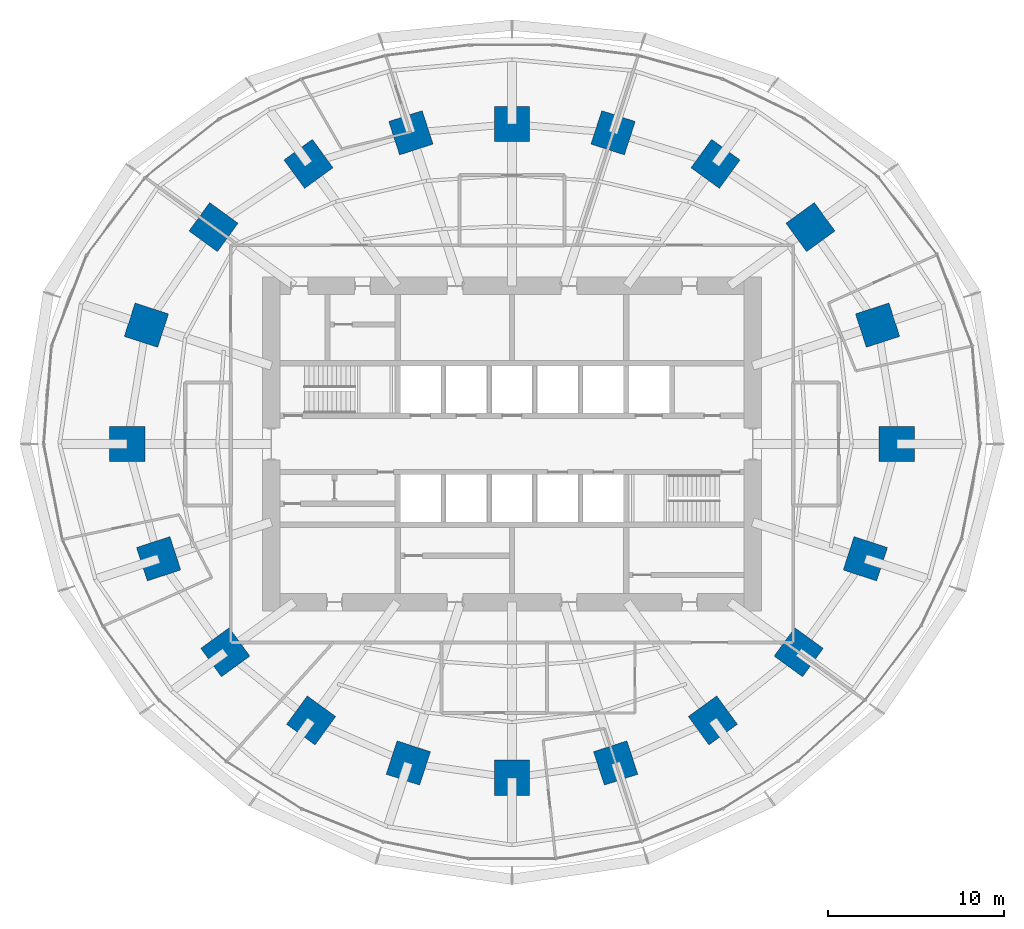
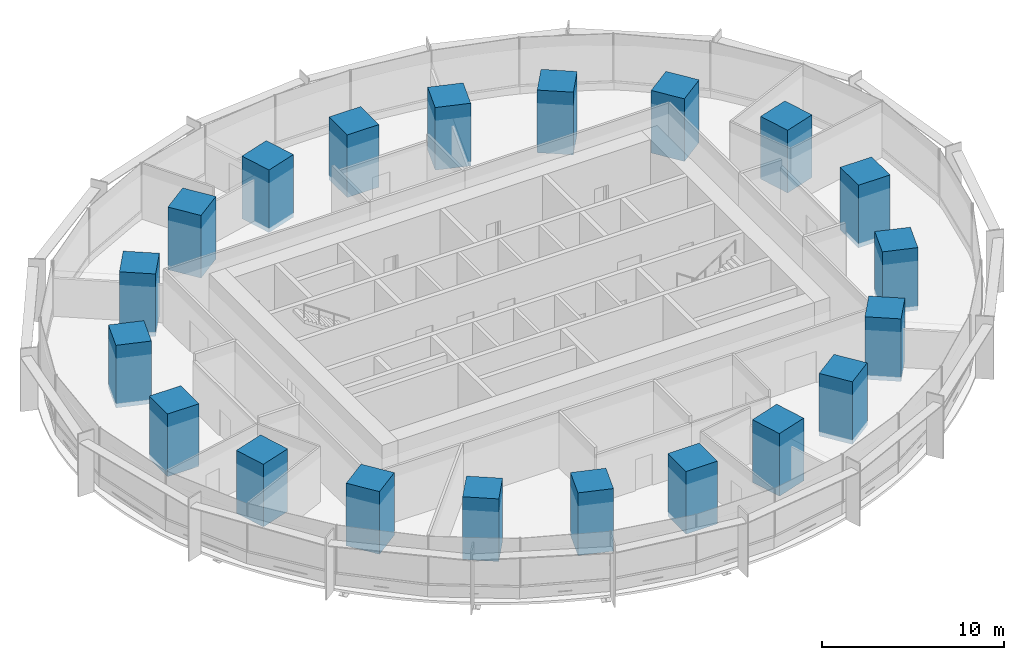
# One storey, part 1 of 15: 20 columns.
"""IFC4 building model written with IfcOpenShell, lengths in metres."""

from ifc_helpers import new_model, si_unit, direction, frame, origin, origin_2d, place, context, subcontext, project, spatial, rectangle, extrude, material, material_profile, profile_set, type_object, element, save


model = new_model("IFC4")

# Units and contexts
model_context = context("Model", 3, precision=1e-05, world=origin(), true_north=direction((0.0, 1.0)))
body_context = subcontext(model_context, "Body", "Model", "MODEL_VIEW")
ifc_project = project(units=[si_unit("LENGTHUNIT", "METRE"), si_unit("AREAUNIT", "SQUARE_METRE"), si_unit("VOLUMEUNIT", "CUBIC_METRE"), si_unit("PLANEANGLEUNIT", "RADIAN"), si_unit("MASSUNIT", "GRAM", prefix="KILO")], contexts=[model_context])

# Site, building, storey
site_placement = place(None, origin())
site = spatial("IfcSite", under=ifc_project, at=site_placement, CompositionType="ELEMENT")
building_placement = place(site_placement, origin())
building = spatial("IfcBuilding", under=site, at=building_placement, Name="Marramba Exchange Tower", CompositionType="ELEMENT")
storey_placement = place(building_placement, frame((0.0, 0.0, 74.199951171875)))
storey = spatial("IfcBuildingStorey", under=building, at=storey_placement, Name="L17", CompositionType="ELEMENT", Elevation=74.199951171875)

# Columns
ifc_material = material(Name="Concrete N50", Category="concrete")
ifc_material_profile = material_profile(ifc_material, rectangle(XDim=2.0, YDim=2.0, at=origin_2d()), Name="RC 2000x2000")
ifc_profile_set = profile_set([ifc_material_profile], Name="Concrete N50")
column_type = type_object("IfcColumnType", Name="Perimeter column RC 2000x2000 N50", PredefinedType="COLUMN", material=ifc_profile_set)
for number, where, z_axis, x_axis, name in (
    (1, (21.89990234375, 0.0, 0.0), (0.0, 0.0, 1.0), (1.0, 0.0, 0.0), "Column TC01 L17"),
    (2, (20.808349609375, 6.760986328125, 0.0), (0.0, 0.0, 1.0), (0.951056516295, 0.309016994375, 0.0), "Column TC02 L17"),
    (3, (16.98583984375, 12.3408203125, 0.0), (0.0, 0.0, 1.0), (0.809016994375, 0.587785252292, 0.0), "Column TC03 L17"),
    (4, (11.581298828125, 15.9404296875, 0.0), (0.0, 0.0, 1.0), (0.587785252292, 0.809016994375, 0.0), "Column TC04 L17"),
    (5, (5.75390625, 17.70849609375, 0.0), (0.0, 0.0, 1.0), (0.309016994375, 0.951056516295, 0.0), "Column TC05 L17"),
    (6, (0.0, 18.2041015625, 0.0), (0.0, 0.0, 1.0), (0.0, 1.0, 0.0), "Column TC06 L17"),
    (7, (-5.75390625, 17.70849609375, 0.0), (0.0, 0.0, 1.0), (-0.309016994375, 0.951056516295, 0.0), "Column TC07 L17"),
    (8, (-11.581298828125, 15.9404296875, 0.0), (0.0, 0.0, 1.0), (-0.587785252292, 0.809016994375, 0.0), "Column TC08 L17"),
    (9, (-16.98583984375, 12.3408203125, 0.0), (0.0, 0.0, 1.0), (-0.809016994375, 0.587785252292, 0.0), "Column TC09 L17"),
    (10, (-20.808349609375, 6.760986328125, 0.0), (0.0, 0.0, 1.0), (-0.951056516295, 0.309016994375, 0.0), "Column TC10 L17"),
    (11, (-21.89990234375, 0.0, 0.0), (0.0, 0.0, 1.0), (-1.0, 0.0, 0.0), "Column TC11 L17"),
    (12, (-20.109375, -6.533935546875, 0.0), (0.0, 0.0, 1.0), (-0.951056516295, -0.309016994375, 0.0), "Column TC12 L17"),
    (13, (-16.3154296875, -11.853759765625, 0.0), (0.0, 0.0, 1.0), (-0.809016994375, -0.587785252292, 0.0), "Column TC13 L17"),
    (14, (-11.430419921875, -15.732666015625, 0.0), (0.0, 0.0, 1.0), (-0.587785252292, -0.809016994375, 0.0), "Column TC14 L17"),
    (15, (-5.899658203125, -18.156982421875, 0.0), (0.0, 0.0, 1.0), (-0.309016994375, -0.951056516295, 0.0), "Column TC15 L17"),
    (16, (0.0, -18.99609375, 0.0), (0.0, 0.0, 1.0), (0.0, -1.0, 0.0), "Column TC16 L17"),
    (17, (5.899658203125, -18.156982421875, 0.0), (0.0, 0.0, 1.0), (0.309016994375, -0.951056516295, 0.0), "Column TC17 L17"),
    (18, (11.430419921875, -15.732666015625, 0.0), (0.0, 0.0, 1.0), (0.587785252292, -0.809016994375, 0.0), "Column TC18 L17"),
    (19, (16.3154296875, -11.853759765625, 0.0), (0.0, 0.0, 1.0), (0.809016994375, -0.587785252292, 0.0), "Column TC19 L17"),
    (20, (20.109375, -6.533935546875, 0.0), (0.0, 0.0, 1.0), (0.951056516295, -0.309016994375, 0.0), "Column TC20 L17"),
):
    element("IfcColumn", number, at=place(storey_placement, frame(where, z_axis=z_axis, x_axis=x_axis)), inside=storey, type_object=column_type, Name=name, PredefinedType="COLUMN", context=body_context, shape_type="SweptSolid", body=[
        extrude(rectangle(XDim=2.0, YDim=2.0, at=origin_2d()), origin(), (0.0, 0.0, 1.0), 4.199951171875),
    ])

save(model, "model.ifc")
